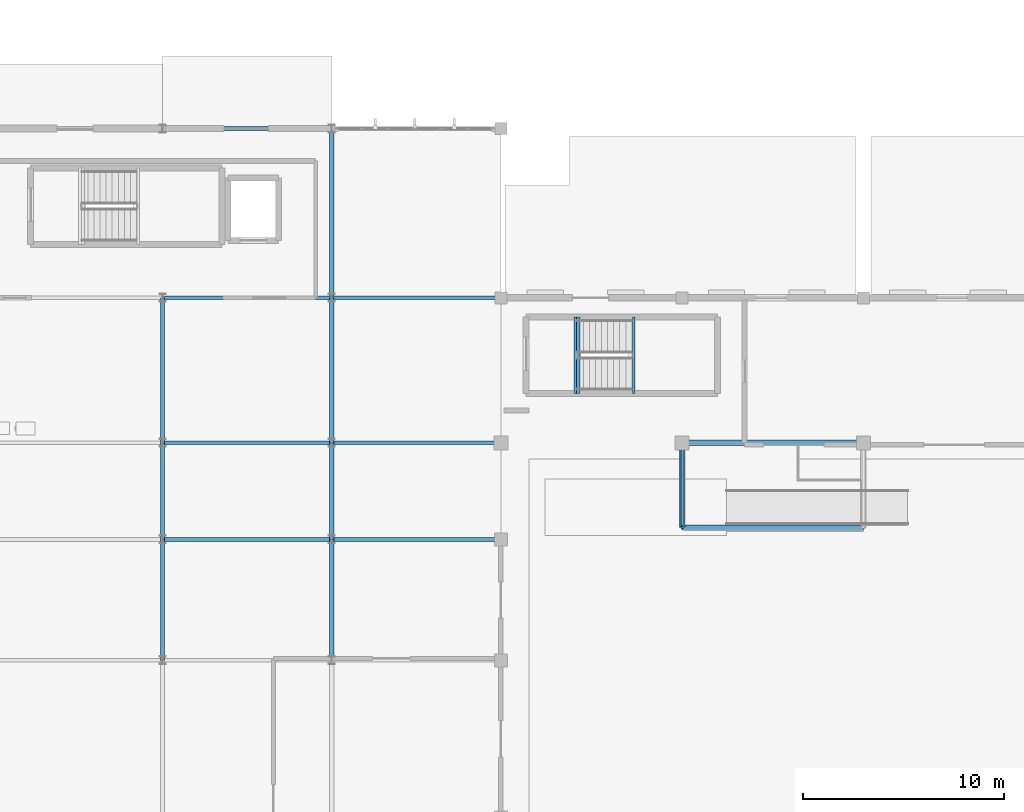
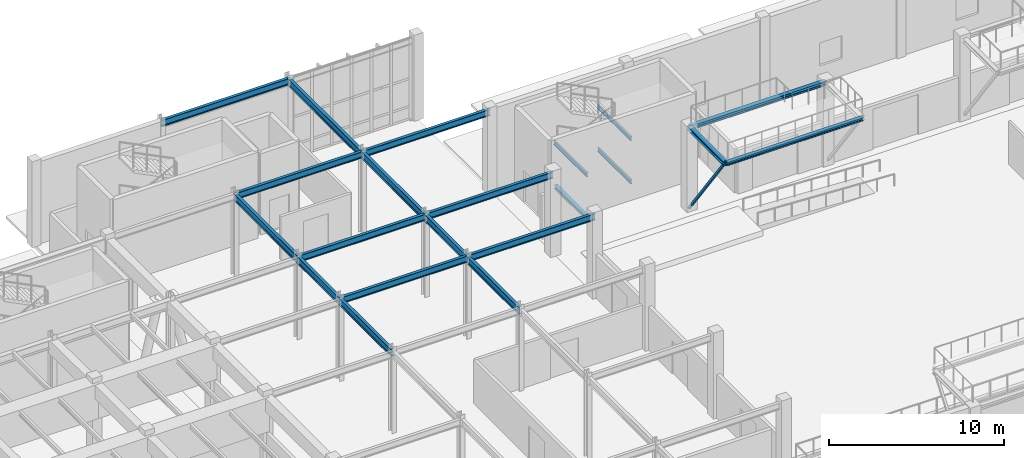
# One storey, part 46 of 110: 21 beams, 1 member.
"""IFC4 building model written with IfcOpenShell, lengths in metres."""

from ifc_helpers import new_model, si_unit, direction, frame, origin, origin_2d, place, context, subcontext, project, spatial, hollow_rectangle, i_section, extrude, material, material_profile, profile_set, type_object, element, save


model = new_model("IFC4")

# Units and contexts
model_context = context("Model", 3, precision=1e-05, world=origin(), true_north=direction((0.0, 1.0)))
body_context = subcontext(model_context, "Body", "Model", "MODEL_VIEW")
ifc_project = project(units=[si_unit("LENGTHUNIT", "METRE"), si_unit("AREAUNIT", "SQUARE_METRE"), si_unit("VOLUMEUNIT", "CUBIC_METRE"), si_unit("PLANEANGLEUNIT", "RADIAN"), si_unit("MASSUNIT", "GRAM", prefix="KILO")], contexts=[model_context])

# Site, building, storey
site_placement = place(None, origin())
site = spatial("IfcSite", under=ifc_project, at=site_placement, CompositionType="ELEMENT")
building_placement = place(site_placement, origin())
building = spatial("IfcBuilding", under=site, at=building_placement, Name="Tizgana Railside Sports Hall", CompositionType="ELEMENT")
storey_placement = place(building_placement, origin())
storey = spatial("IfcBuildingStorey", under=building, at=storey_placement, Name="L00", CompositionType="ELEMENT", Elevation=0.0)

# Beams
ifc_material = material(Name="Steel S355J2", Category="steel")
ifc_material_profile_1 = material_profile(ifc_material, i_section(OverallWidth=0.1298828125, OverallDepth=0.27001953125, WebThickness=0.006591796875, FlangeThickness=0.01025390625, FilletRadius=0.014892578125, at=origin_2d()), Name="IPE 270")
ifc_profile_set_1 = profile_set([ifc_material_profile_1], Name="Steel S355J2")
beam_type_1 = type_object("IfcBeamType", Name="Stair Mid-Landing Header IPE 270", PredefinedType="JOIST", material=ifc_profile_set_1)
for number, where, z_axis, x_axis, name in (
    (1, (86.39990234375, 75.64990234375, 1.1630859375), (0.0, 1.0, 0.0), (-1.0, 0.0, 0.0), "L00 C8 Mid Header 1"),
    (2, (83.5, 75.64990234375, 2.6630859375), (0.0, 1.0, 0.0), (-1.0, 0.0, 0.0), "L00 C8 Mid Header 2"),
    (3, (86.39990234375, 75.64990234375, 4.1630859375), (0.0, 1.0, 0.0), (-1.0, 0.0, 0.0), "L00 C8 Mid Header 3"),
):
    element("IfcBeam", number, at=place(storey_placement, frame(where, z_axis=z_axis, x_axis=x_axis)), inside=storey, type_object=beam_type_1, Name=name, PredefinedType="JOIST", context=body_context, shape_type="SweptSolid", body=[
        extrude(i_section(OverallWidth=0.1298828125, OverallDepth=0.27001953125, WebThickness=0.006591796875, FlangeThickness=0.01025390625, FilletRadius=0.014892578125, at=origin_2d()), origin(), (0.0, 0.0, 1.0), 3.800048828125),
    ])
ifc_material_profile_2 = material_profile(ifc_material, i_section(OverallWidth=0.239990234375, OverallDepth=0.239990234375, WebThickness=0.010009765625, FlangeThickness=0.01708984375, FilletRadius=0.02099609375, at=origin_2d()), Name="HEB 240")
ifc_profile_set_2 = profile_set([ifc_material_profile_2], Name="Steel S355J2")
beam_type_2 = type_object("IfcBeamType", Name="Steel Beam HEB 240", PredefinedType="BEAM", material=ifc_profile_set_2)
beam_1_placement = place(storey_placement, frame((88.800048828125, 69.0, 5.64990234375), z_axis=(1.0, 0.0, 0.0), x_axis=(0.0, 1.0, 0.0)))
element("IfcBeam", 4, at=beam_1_placement, inside=storey, type_object=beam_type_2, Name="L00 BEM-1270", PredefinedType="BEAM", context=body_context, shape_type="SweptSolid", body=[
    extrude(i_section(OverallWidth=0.239990234375, OverallDepth=0.239990234375, WebThickness=0.010009765625, FlangeThickness=0.01708984375, FilletRadius=0.02099609375, at=origin_2d()), origin(), (0.0, 0.0, 1.0), 9.0),
])
beam_2_placement = place(storey_placement, frame((83.60009765625, 75.64990234375, -0.446044921875), z_axis=(0.0, 1.0, 0.0), x_axis=(-1.0, 0.0, 0.0)))
element("IfcBeam", 5, at=beam_2_placement, inside=storey, type_object=beam_type_2, Name="L00 C8 Landing Header", PredefinedType="BEAM", context=body_context, shape_type="SweptSolid", body=[
    extrude(i_section(OverallWidth=0.239990234375, OverallDepth=0.239990234375, WebThickness=0.010009765625, FlangeThickness=0.01708984375, FilletRadius=0.02099609375, at=origin_2d()), origin(), (0.0, 0.0, 1.0), 3.800048828125),
])
ifc_material_profile_3 = material_profile(ifc_material, i_section(OverallWidth=0.280029296875, OverallDepth=0.280029296875, WebThickness=0.010498046875, FlangeThickness=0.01806640625, FilletRadius=0.02392578125, at=origin_2d()), Name="HEB 280")
ifc_profile_set_3 = profile_set([ifc_material_profile_3], Name="Steel S355J2")
beam_type_3 = type_object("IfcBeamType", Name="Steel Beam HEB 280", PredefinedType="BEAM", material=ifc_profile_set_3)
beam_3_placement = place(storey_placement, frame((88.800048828125, 73.199951171875, 5.6259765625), z_axis=(1.0, 0.0, 0.0), x_axis=(0.0, 1.0, 0.0)))
element("IfcBeam", 6, at=beam_3_placement, inside=storey, type_object=beam_type_3, Name="L00 BEM-1269", PredefinedType="BEAM", context=body_context, shape_type="SweptSolid", body=[
    extrude(i_section(OverallWidth=0.280029296875, OverallDepth=0.280029296875, WebThickness=0.010498046875, FlangeThickness=0.01806640625, FilletRadius=0.02392578125, at=origin_2d()), origin(), (0.0, 0.0, 1.0), 9.0),
])
beam_4_placement = place(storey_placement, frame((88.800048828125, 73.199951171875, 5.6259765625), z_axis=(0.0, -1.0, 0.0), x_axis=(1.0, 0.0, 0.0)))
element("IfcBeam", 7, at=beam_4_placement, inside=storey, type_object=beam_type_3, Name="L00 BEM-1271", PredefinedType="BEAM", context=body_context, shape_type="SweptSolid", body=[
    extrude(i_section(OverallWidth=0.280029296875, OverallDepth=0.280029296875, WebThickness=0.010498046875, FlangeThickness=0.01806640625, FilletRadius=0.02392578125, at=origin_2d()), origin(), (0.0, 0.0, 1.0), 4.199951171875),
])
ifc_material_profile_4 = material_profile(ifc_material, i_section(OverallWidth=0.18994140625, OverallDepth=0.449951171875, WebThickness=0.009521484375, FlangeThickness=0.0146484375, FilletRadius=0.02099609375, at=origin_2d()), Name="IPE 450")
ifc_profile_set_4 = profile_set([ifc_material_profile_4], Name="Steel S355J2")
beam_type_4 = type_object("IfcBeamType", Name="Steel Beam IPE 450", PredefinedType="BEAM", material=ifc_profile_set_4)
for number, where, z_axis, x_axis, name in (
    (8, (63.0, 68.39990234375, 5.5009765625), (1.0, 0.0, 0.0), (0.0, 1.0, 0.0), "L00 BEM-0939"),
    (9, (63.0, 73.199951171875, 5.5009765625), (1.0, 0.0, 0.0), (0.0, 1.0, 0.0), "L00 BEM-0940"),
    (10, (63.0, 80.39990234375, 5.5009765625), (1.0, 0.0, 0.0), (0.0, 1.0, 0.0), "L00 BEM-0941"),
    (11, (63.0, 88.800048828125, 5.5009765625), (1.0, 0.0, 0.0), (0.0, 1.0, 0.0), "L00 BEM-0942"),
):
    element("IfcBeam", number, at=place(storey_placement, frame(where, z_axis=z_axis, x_axis=x_axis)), inside=storey, type_object=beam_type_4, Name=name, PredefinedType="BEAM", context=body_context, shape_type="SweptSolid", body=[
        extrude(i_section(OverallWidth=0.18994140625, OverallDepth=0.449951171875, WebThickness=0.009521484375, FlangeThickness=0.0146484375, FilletRadius=0.02099609375, at=origin_2d()), origin(), (0.0, 0.0, 1.0), 8.39990234375),
    ])
for number, where, z_axis, x_axis, name in (
    (12, (71.39990234375, 68.39990234375, 5.5009765625), (1.0, 0.0, 0.0), (0.0, 1.0, 0.0), "L00 BEM-0948"),
    (13, (71.39990234375, 73.199951171875, 5.5009765625), (1.0, 0.0, 0.0), (0.0, 1.0, 0.0), "L00 BEM-0949"),
    (14, (71.39990234375, 80.39990234375, 5.5009765625), (1.0, 0.0, 0.0), (0.0, 1.0, 0.0), "L00 BEM-0950"),
):
    element("IfcBeam", number, at=place(storey_placement, frame(where, z_axis=z_axis, x_axis=x_axis)), inside=storey, type_object=beam_type_4, Name=name, PredefinedType="BEAM", context=body_context, shape_type="SweptSolid", body=[
        extrude(i_section(OverallWidth=0.18994140625, OverallDepth=0.449951171875, WebThickness=0.009521484375, FlangeThickness=0.0146484375, FilletRadius=0.02099609375, at=origin_2d()), origin(), (0.0, 0.0, 1.0), 8.400146484375),
    ])
ifc_material_profile_5 = material_profile(ifc_material, i_section(OverallWidth=0.199951171875, OverallDepth=0.5, WebThickness=0.01025390625, FlangeThickness=0.01611328125, FilletRadius=0.02099609375, at=origin_2d()), Name="IPE 500")
ifc_profile_set_5 = profile_set([ifc_material_profile_5], Name="Steel S355J2")
beam_type_5 = type_object("IfcBeamType", Name="Steel Beam IPE 500", PredefinedType="BEAM", material=ifc_profile_set_5)
beam_5_placement = place(storey_placement, frame((63.0, 62.39990234375, 5.47607421875), z_axis=(0.0, 1.0, 0.0), x_axis=(-1.0, 0.0, 0.0)))
element("IfcBeam", 15, at=beam_5_placement, inside=storey, type_object=beam_type_5, Name="L00 BEM-0915", PredefinedType="BEAM", context=body_context, shape_type="SweptSolid", body=[
    extrude(i_section(OverallWidth=0.199951171875, OverallDepth=0.5, WebThickness=0.01025390625, FlangeThickness=0.01611328125, FilletRadius=0.02099609375, at=origin_2d()), origin(), (0.0, 0.0, 1.0), 6.0),
])
beam_6_placement = place(storey_placement, frame((63.0, 68.39990234375, 5.47607421875), z_axis=(0.0, 1.0, 0.0), x_axis=(-1.0, 0.0, 0.0)))
element("IfcBeam", 16, at=beam_6_placement, inside=storey, type_object=beam_type_5, Name="L00 BEM-0916", PredefinedType="BEAM", context=body_context, shape_type="SweptSolid", body=[
    extrude(i_section(OverallWidth=0.199951171875, OverallDepth=0.5, WebThickness=0.01025390625, FlangeThickness=0.01611328125, FilletRadius=0.02099609375, at=origin_2d()), origin(), (0.0, 0.0, 1.0), 4.800048828125),
])
beam_7_placement = place(storey_placement, frame((63.0, 73.199951171875, 5.47607421875), z_axis=(0.0, 1.0, 0.0), x_axis=(-1.0, 0.0, 0.0)))
element("IfcBeam", 17, at=beam_7_placement, inside=storey, type_object=beam_type_5, Name="L00 BEM-0917", PredefinedType="BEAM", context=body_context, shape_type="SweptSolid", body=[
    extrude(i_section(OverallWidth=0.199951171875, OverallDepth=0.5, WebThickness=0.01025390625, FlangeThickness=0.01611328125, FilletRadius=0.02099609375, at=origin_2d()), origin(), (0.0, 0.0, 1.0), 7.199951171875),
])
beam_8_placement = place(storey_placement, frame((71.39990234375, 62.39990234375, 5.47607421875), z_axis=(0.0, 1.0, 0.0), x_axis=(-1.0, 0.0, 0.0)))
element("IfcBeam", 18, at=beam_8_placement, inside=storey, type_object=beam_type_5, Name="L00 BEM-0921", PredefinedType="BEAM", context=body_context, shape_type="SweptSolid", body=[
    extrude(i_section(OverallWidth=0.199951171875, OverallDepth=0.5, WebThickness=0.01025390625, FlangeThickness=0.01611328125, FilletRadius=0.02099609375, at=origin_2d()), origin(), (0.0, 0.0, 1.0), 6.0),
])
beam_9_placement = place(storey_placement, frame((71.39990234375, 68.39990234375, 5.47607421875), z_axis=(0.0, 1.0, 0.0), x_axis=(-1.0, 0.0, 0.0)))
element("IfcBeam", 19, at=beam_9_placement, inside=storey, type_object=beam_type_5, Name="L00 BEM-0922", PredefinedType="BEAM", context=body_context, shape_type="SweptSolid", body=[
    extrude(i_section(OverallWidth=0.199951171875, OverallDepth=0.5, WebThickness=0.01025390625, FlangeThickness=0.01611328125, FilletRadius=0.02099609375, at=origin_2d()), origin(), (0.0, 0.0, 1.0), 4.800048828125),
])
beam_10_placement = place(storey_placement, frame((71.39990234375, 73.199951171875, 5.47607421875), z_axis=(0.0, 1.0, 0.0), x_axis=(-1.0, 0.0, 0.0)))
element("IfcBeam", 20, at=beam_10_placement, inside=storey, type_object=beam_type_5, Name="L00 BEM-0923", PredefinedType="BEAM", context=body_context, shape_type="SweptSolid", body=[
    extrude(i_section(OverallWidth=0.199951171875, OverallDepth=0.5, WebThickness=0.01025390625, FlangeThickness=0.01611328125, FilletRadius=0.02099609375, at=origin_2d()), origin(), (0.0, 0.0, 1.0), 7.199951171875),
])
beam_11_placement = place(storey_placement, frame((71.39990234375, 80.39990234375, 5.47607421875), z_axis=(0.0, 1.0, 0.0), x_axis=(-1.0, 0.0, 0.0)))
element("IfcBeam", 21, at=beam_11_placement, inside=storey, type_object=beam_type_5, Name="L00 BEM-0924", PredefinedType="BEAM", context=body_context, shape_type="SweptSolid", body=[
    extrude(i_section(OverallWidth=0.199951171875, OverallDepth=0.5, WebThickness=0.01025390625, FlangeThickness=0.01611328125, FilletRadius=0.02099609375, at=origin_2d()), origin(), (0.0, 0.0, 1.0), 8.400146484375),
])

# Member
ifc_material_profile_6 = material_profile(ifc_material, hollow_rectangle(XDim=0.139892578125, YDim=0.139892578125, WallThickness=0.008056640625, at=origin_2d()), Name="SHS 140x140x8")
ifc_profile_set_6 = profile_set([ifc_material_profile_6], Name="Steel S355J2")
member_type = type_object("IfcMemberType", Name="Steel Brace SHS 140x140x8", PredefinedType="BRACE", material=ifc_profile_set_6)
member_placement = place(storey_placement, frame((88.800048828125, 73.199951171875, 0.0), z_axis=(0.0, -0.588499132235, 0.808497848704), x_axis=(1.0, 0.0, 0.0)))
element("IfcMember", 22, at=member_placement, inside=storey, type_object=member_type, Name="L00 Catwalk Raker", PredefinedType="BRACE", context=body_context, shape_type="SweptSolid", body=[
    extrude(hollow_rectangle(XDim=0.139892578125, YDim=0.139892578125, WallThickness=0.008056640625, at=origin_2d()), origin(), (0.0, 0.0, 1.0), 7.13671875),
])

save(model, "model.ifc")
